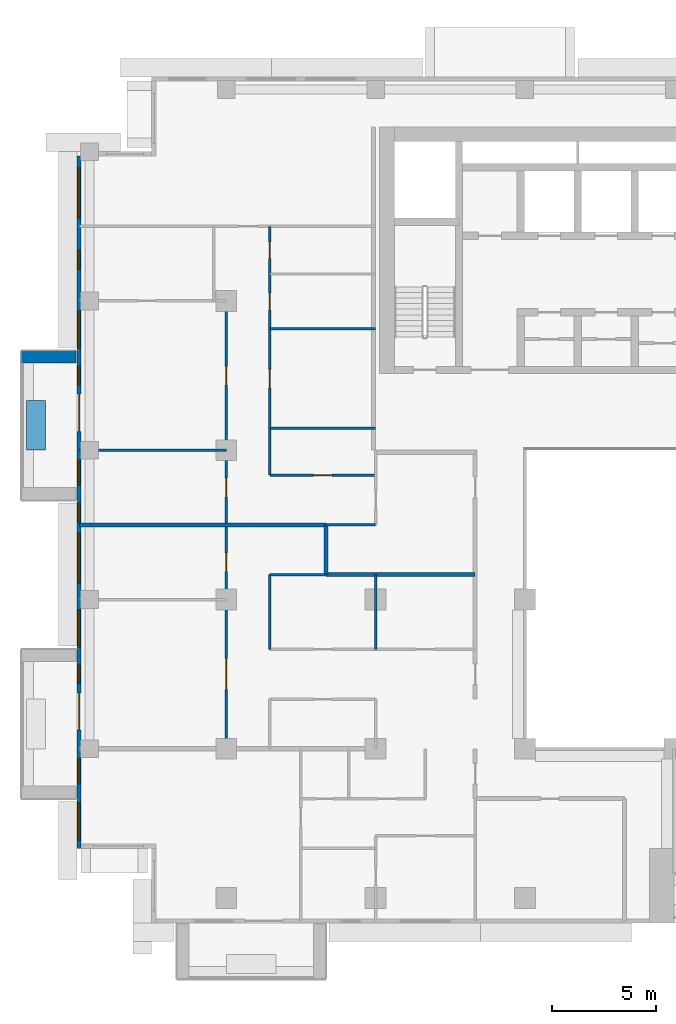
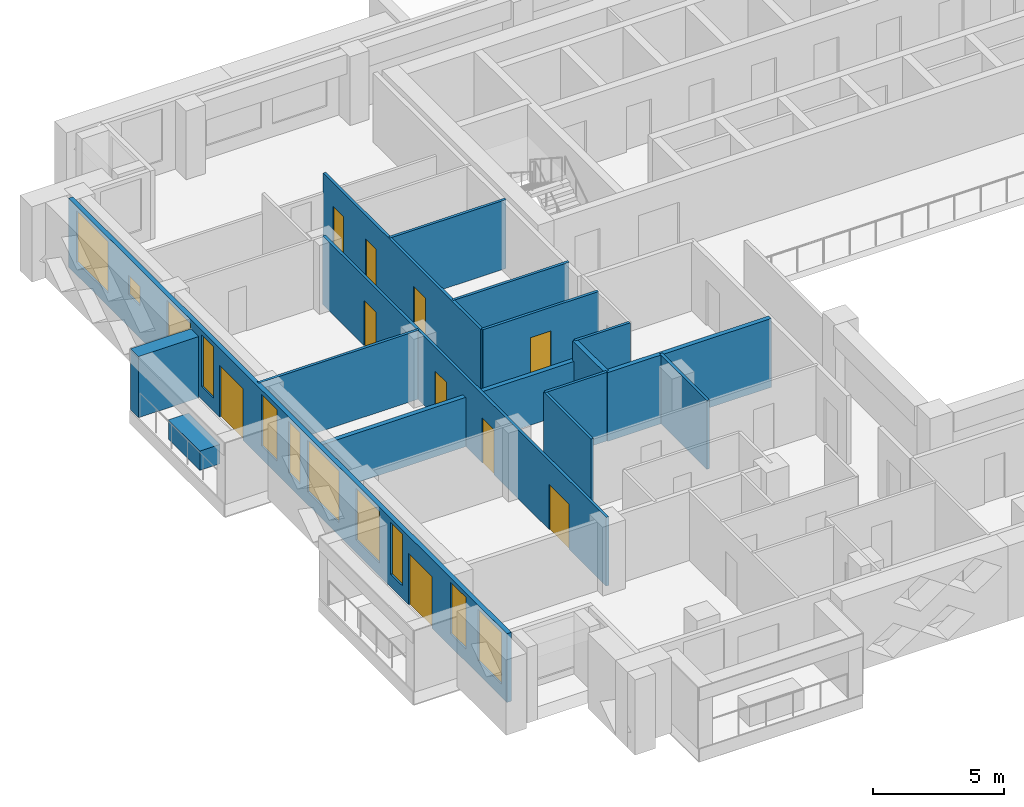
# One storey, part 7 of 20: 16 walls, 11 windows, 10 doors, 21 openings.
"""IFC4 building model written with IfcOpenShell, lengths in metres."""

import ifcopenshell
import ifcopenshell.guid

model = None  # the IFC model being written
_history = None  # IfcOwnerHistory: only IFC2X3 demands one
_inside = {}  # id of a spatial element -> (the spatial element, [elements in it])
_under = {}  # id of a project, library or spatial element -> (it, [spatial elements below it])
_declared = {}  # id of a project -> (the project, [libraries it declares])
_typed = {}  # id of a type object -> (the type object, [elements of that type])
_made_of = {}  # id of a material, layer set ... -> (it, [elements and type objects made of it])


def new_model(schema):
    """Start an empty IFC model of exactly this schema.

    Asked for "IFC4X3", IfcOpenShell would pick the latest addendum, in which some entities
    have other attributes; the version numbers below select the first issue.
    IFC2X3 requires an IfcOwnerHistory on every rooted entity: one is made here for all.
    """
    global model, _history
    if schema == "IFC4X3":
        model = ifcopenshell.file(schema_version=(4, 3, 0, 0))
    else:
        model = ifcopenshell.file(schema=schema)
    _inside.clear()
    _under.clear()
    _declared.clear()
    _typed.clear()
    _made_of.clear()
    _history = None
    if model.schema == "IFC2X3":
        org = make("IfcOrganization", Name="unknown")
        user = make(
            "IfcPersonAndOrganization",
            ThePerson=make("IfcPerson", FamilyName="unknown"),
            TheOrganization=org,
        )
        app = make(
            "IfcApplication",
            ApplicationDeveloper=org,
            Version="unknown",
            ApplicationFullName="unknown",
            ApplicationIdentifier="unknown",
        )
        _history = make(
            "IfcOwnerHistory",
            OwningUser=user,
            OwningApplication=app,
            ChangeAction="ADDED",
            CreationDate=0,
        )
    return model


def make(cls, **values):
    """One entity of the class cls with the attributes given. An attribute that is None is left unset."""
    return model.create_entity(
        cls, **{name: value for name, value in values.items() if value is not None}
    )


def rooted(cls, **values):
    """An entity with a GlobalId (a new one), such as an element, a storey or a relation."""
    return make(cls, GlobalId=ifcopenshell.guid.new(), OwnerHistory=_history, **values)


def si_unit(unit_type, name, prefix=None):
    """IfcSIUnit, for example si_unit("LENGTHUNIT", "METRE", prefix="MILLI")."""
    return make("IfcSIUnit", UnitType=unit_type, Prefix=prefix, Name=name)


def assignment(units):
    """IfcUnitAssignment: the units of a project."""
    return None if units is None else make("IfcUnitAssignment", Units=units)


def point(xyz):
    """IfcCartesianPoint."""
    return None if xyz is None else make("IfcCartesianPoint", Coordinates=xyz)


def direction(xyz):
    """IfcDirection."""
    return None if xyz is None else make("IfcDirection", DirectionRatios=xyz)


def frame(location, z_axis=None, x_axis=None):
    """IfcAxis2Placement3D, a coordinate frame: its origin and axes. An axis left out is left unset."""
    return make(
        "IfcAxis2Placement3D",
        Location=point(location),
        Axis=direction(z_axis),
        RefDirection=direction(x_axis),
    )


def frame_2d(location, x_axis=None):
    """IfcAxis2Placement2D, a coordinate frame in the plane: its origin and x axis."""
    return make(
        "IfcAxis2Placement2D", Location=point(location), RefDirection=direction(x_axis)
    )


def origin():
    """The frame at (0, 0, 0) with its axes left unset."""
    return frame((0.0, 0.0, 0.0))


def place(relative_to, where):
    """IfcLocalPlacement: puts the frame where relative to a parent placement (None: the world)."""
    return make(
        "IfcLocalPlacement", PlacementRelTo=relative_to, RelativePlacement=where
    )


def context(
    kind, dimensions, precision=None, world=None, true_north=None, identifier=None
):
    """IfcGeometricRepresentationContext, for example the 3D "Model" context."""
    return make(
        "IfcGeometricRepresentationContext",
        ContextIdentifier=identifier,
        ContextType=kind,
        CoordinateSpaceDimension=dimensions,
        Precision=precision,
        WorldCoordinateSystem=world,
        TrueNorth=true_north,
    )


def subcontext(parent, identifier, kind, view, scale=None):
    """IfcGeometricRepresentationSubContext, for example "Body" below "Model"."""
    return make(
        "IfcGeometricRepresentationSubContext",
        ContextIdentifier=identifier,
        ContextType=kind,
        ParentContext=parent,
        TargetScale=scale,
        TargetView=view,
    )


def project(units=None, contexts=None):
    """IfcProject with its units and contexts."""
    return rooted(
        "IfcProject",
        Name="project",
        RepresentationContexts=contexts,
        UnitsInContext=assignment(units),
    )


def spatial(cls, under=None, at=None, **own):
    """A site, building, storey or space (cls), placed at a placement, below another one or the project."""
    s = rooted(cls, ObjectPlacement=at, **own)
    if under is not None:
        _under.setdefault(under.id(), (under, []))[1].append(s)
    return s


def profile(cls, at=None, kind="AREA", **sizes):
    """A parametric profile (cls). Its sizes go by their IFC names, for example OverallWidth=200.0."""
    return make(cls, ProfileType=kind, Position=at, **sizes)


def rectangle(**sizes):
    """IfcRectangleProfileDef."""
    return profile("IfcRectangleProfileDef", **sizes)


def extrude(swept, where, along, depth):
    """IfcExtrudedAreaSolid: the profile swept, set in the frame where, extruded along a direction by depth."""
    return make(
        "IfcExtrudedAreaSolid",
        SweptArea=swept,
        Position=where,
        ExtrudedDirection=direction(along),
        Depth=depth,
    )


def shape(context_of_items, identifier, shape_type, items):
    """IfcShapeRepresentation: the items that make up one representation, for example the "Body"."""
    return make(
        "IfcShapeRepresentation",
        ContextOfItems=context_of_items,
        RepresentationIdentifier=identifier,
        RepresentationType=shape_type,
        Items=items,
    )


def material(Name=None, Category=None):
    """IfcMaterial."""
    return make("IfcMaterial", Name=Name, Category=Category)


def layer(
    of_material, thickness, ventilated=None, Name=None, Category=None, Priority=None
):
    """IfcMaterialLayer: one layer of a wall or slab, of a material (None: an air gap)."""
    return make(
        "IfcMaterialLayer",
        Material=of_material,
        LayerThickness=thickness,
        IsVentilated=ventilated,
        Name=Name,
        Category=Category,
        Priority=Priority,
    )


def layer_set(layers, Name=None):
    """IfcMaterialLayerSet."""
    return make("IfcMaterialLayerSet", MaterialLayers=layers, LayerSetName=Name)


def made_of(thing, what):
    """Note that an element or type object is made of a material, layer set ...; save() writes the relation."""
    if what is not None:
        _made_of.setdefault(what.id(), (what, []))[1].append(thing)
    return thing


def type_object(cls, material=None, **own):
    """A type object (cls), such as IfcWallType, which elements share."""
    return made_of(rooted(cls, **own), material)


def element(
    cls,
    number,
    at=None,
    inside=None,
    cuts=None,
    type_object=None,
    material=None,
    context=None,
    identifier="Body",
    shape_type=None,
    held_by="IfcProductDefinitionShape",
    body=None,
    shapes=None,
    **own,
):
    """One element of the class cls, such as IfcWall. Its Tag is "e" and its number.

    at: its placement. inside: the storey or other place that contains it. cuts: it is an
    opening in that element (IfcRelVoidsElement). A single representation is given by context,
    identifier, shape_type and body (its items); several are given by shapes. held_by: the class
    of the entity that holds the representations. save() writes the other relations.
    """
    e = rooted(cls, Tag="e%d" % number, ObjectPlacement=at, **own)
    if body is not None:
        shapes = [shape(context, identifier, shape_type, body)]
    if shapes is not None:
        e.Representation = make(held_by, Representations=shapes)
    if inside is not None:
        _inside.setdefault(inside.id(), (inside, []))[1].append(e)
    if cuts is not None:
        rooted(
            "IfcRelVoidsElement", RelatingBuildingElement=cuts, RelatedOpeningElement=e
        )
    if type_object is not None:
        _typed.setdefault(type_object.id(), (type_object, []))[1].append(e)
    return made_of(e, material)


def fill(opening, filler):
    """IfcRelFillsElement: the door or window that sits in an opening."""
    return rooted(
        "IfcRelFillsElement",
        RelatingOpeningElement=opening,
        RelatedBuildingElement=filler,
    )


def aggregate(whole, parts):
    """IfcRelAggregates: a whole, such as a stair, and the parts it consists of."""
    return rooted("IfcRelAggregates", RelatingObject=whole, RelatedObjects=parts)


def save(model, path):
    """Write the relations noted so far, then the file.

    IfcRelAggregates (storeys below a building ...), IfcRelContainedInSpatialStructure (elements
    in a storey), IfcRelDefinesByType, IfcRelAssociatesMaterial and IfcRelDeclares: one each for
    every whole, place, type object, material and project.
    """
    for whole, parts in _under.values():
        aggregate(whole, parts)
    for where, things in _inside.values():
        rooted(
            "IfcRelContainedInSpatialStructure",
            RelatedElements=things,
            RelatingStructure=where,
        )
    for kind, things in _typed.values():
        rooted("IfcRelDefinesByType", RelatedObjects=things, RelatingType=kind)
    for what, things in _made_of.values():
        rooted("IfcRelAssociatesMaterial", RelatedObjects=things, RelatingMaterial=what)
    for by, libraries in _declared.values():
        rooted("IfcRelDeclares", RelatingContext=by, RelatedDefinitions=libraries)
    model.write(path)


model = new_model("IFC4")

# Units and contexts
model_context = context("Model", 3, precision=1e-05, world=origin(), true_north=direction((0.0, 1.0)))
body_context = subcontext(model_context, "Body", "Model", "MODEL_VIEW")
ifc_project = project(units=[si_unit("LENGTHUNIT", "METRE"), si_unit("AREAUNIT", "SQUARE_METRE"), si_unit("VOLUMEUNIT", "CUBIC_METRE"), si_unit("PLANEANGLEUNIT", "RADIAN"), si_unit("MASSUNIT", "GRAM", prefix="KILO")], contexts=[model_context])

# Site, building, storey
site_placement = place(None, origin())
site = spatial("IfcSite", under=ifc_project, at=site_placement, CompositionType="ELEMENT")
building_placement = place(site_placement, origin())
building = spatial("IfcBuilding", under=site, at=building_placement, Name="Saffron Iwan Residences", CompositionType="ELEMENT")
storey_placement = place(building_placement, frame((0.0, 0.0, 157.0)))
storey = spatial("IfcBuildingStorey", under=building, at=storey_placement, Name="L41", CompositionType="ELEMENT", Elevation=157.0)

# Walls
ifc_material_1 = material(Name="Concrete C50/60 white painted", Category="concrete")
ifc_layer_1 = layer(ifc_material_1, 0.60009765625)
ifc_layer_set_1 = layer_set([ifc_layer_1], Name="Concrete C50/60 white painted")
wall_type_1 = type_object("IfcWallType", Name="BALCONY FIN 600", PredefinedType="SOLIDWALL", material=ifc_layer_set_1)
wall_1_placement = place(storey_placement, frame((14.35009765625, 66.89990234375, 0.0), z_axis=(0.0, 0.0, 1.0), x_axis=(-1.0, 0.0, 0.0)))
element("IfcWall", 1, at=wall_1_placement, inside=storey, type_object=wall_type_1, Name="Balcony fin L41 F8-0a", PredefinedType="SOLIDWALL", context=body_context, shape_type="SweptSolid", body=[
    extrude(rectangle(XDim=2.650146484375, YDim=0.60009765625, at=frame_2d((1.3251953125, 0.0))), origin(), (0.0, 0.0, 1.0), 2.85009765625),
])
ifc_material_2 = material(Name="Concrete C35/45 white painted", Category="concrete")
ifc_layer_2 = layer(ifc_material_2, 0.14990234375)
ifc_layer_set_2 = layer_set([ifc_layer_2], Name="Concrete C35/45 white painted")
wall_type_2 = type_object("IfcWallType", Name="BALCONY PLANTER", PredefinedType="SOLIDWALL", material=ifc_layer_set_2)
wall_2_placement = place(storey_placement, frame((12.425048828125, 64.800048828125, 0.0), z_axis=(0.0, 0.0, 1.0), x_axis=(0.0, -1.0, 0.0)))
element("IfcWall", 2, at=wall_2_placement, inside=storey, type_object=wall_type_2, Name="PLANTER L41 F8-0", PredefinedType="SOLIDWALL", context=body_context, shape_type="SweptSolid", body=[
    extrude(rectangle(XDim=2.400146484375, YDim=0.89990234375, at=frame_2d((1.2001953125, 0.0))), origin(), (0.0, 0.0, 1.0), 0.89990234375),
])

# Wall, openings, doors, windows
ifc_material_3 = material(Name="Concrete C40/50", Category="concrete")
ifc_layer_3 = layer(ifc_material_3, 0.199951171875)
ifc_layer_set_3 = layer_set([ifc_layer_3], Name="Concrete C40/50")
wall_type_3 = type_object("IfcWallType", Name="EXTERNAL WALL 200", PredefinedType="SOLIDWALL", material=ifc_layer_set_3)
wall_3_placement = place(storey_placement, frame((14.5, 76.60009765625, 0.0), z_axis=(0.0, 0.0, 1.0), x_axis=(0.0, -1.0, 0.0)))
wall_3 = element("IfcWall", 3, at=wall_3_placement, inside=storey, type_object=wall_type_3, Name="External wall L41 F8.0", PredefinedType="SOLIDWALL", context=body_context, shape_type="SweptSolid", body=[
    extrude(rectangle(XDim=33.400146484375, YDim=0.199951171875, at=frame_2d((16.7001953125, 0.0))), origin(), (0.0, 0.0, 1.0), 3.199951171875),
])
opening_1_placement = place(wall_3_placement, frame((11.5, 0.0, 0.0)))
opening_1 = element("IfcOpeningElement", 4, at=opening_1_placement, cuts=wall_3, Name="Opening BD1", PredefinedType="OPENING", context=body_context, shape_type="SweptSolid", body=[
    extrude(rectangle(XDim=1.800048828125, YDim=2.39990234375, at=frame_2d((0.89990234375, 1.199951171875))), frame((0.0, 0.10986328125, 0.0), z_axis=(0.0, -1.0, 0.0), x_axis=(1.0, 0.0, 0.0)), (0.0, 0.0, 1.0), 0.219970703125),
])
opening_2_placement = place(wall_3_placement, frame((25.89990234375, 0.0, 0.0)))
opening_2 = element("IfcOpeningElement", 5, at=opening_2_placement, cuts=wall_3, Name="Opening BD1", PredefinedType="OPENING", context=body_context, shape_type="SweptSolid", body=[
    extrude(rectangle(XDim=1.800048828125, YDim=2.39990234375, at=frame_2d((0.89990234375, 1.199951171875))), frame((0.0, 0.10986328125, 0.0), z_axis=(0.0, -1.0, 0.0), x_axis=(1.0, 0.0, 0.0)), (0.0, 0.0, 1.0), 0.219970703125),
])
opening_3_placement = place(wall_3_placement, frame((29.08740234375, 0.0, 0.60009765625)))
opening_3 = element("IfcOpeningElement", 6, at=opening_3_placement, cuts=wall_3, Name="Opening W3", PredefinedType="OPENING", context=body_context, shape_type="SweptSolid", body=[
    extrude(rectangle(XDim=1.199951171875, YDim=2.39990234375, at=frame_2d((0.60009765625, 1.199951171875))), frame((0.0, 0.10986328125, 0.0), z_axis=(0.0, -1.0, 0.0), x_axis=(1.0, 0.0, 0.0)), (0.0, 0.0, 1.0), 0.219970703125),
])
opening_4_placement = place(wall_3_placement, frame((31.199951171875, 0.0, 0.60009765625)))
opening_4 = element("IfcOpeningElement", 7, at=opening_4_placement, cuts=wall_3, Name="Opening W8", PredefinedType="OPENING", context=body_context, shape_type="SweptSolid", body=[
    extrude(rectangle(XDim=1.800048828125, YDim=2.39990234375, at=frame_2d((0.89990234375, 1.199951171875))), frame((0.0, 0.10986328125, 0.0), z_axis=(0.0, -1.0, 0.0), x_axis=(1.0, 0.0, 0.0)), (0.0, 0.0, 1.0), 0.219970703125),
])
opening_5_placement = place(wall_3_placement, frame((21.887451171875, 0.0, 0.60009765625)))
opening_5 = element("IfcOpeningElement", 8, at=opening_5_placement, cuts=wall_3, Name="Opening W8", PredefinedType="OPENING", context=body_context, shape_type="SweptSolid", body=[
    extrude(rectangle(XDim=1.800048828125, YDim=2.39990234375, at=frame_2d((0.89990234375, 1.199951171875))), frame((0.0, 0.10986328125, 0.0), z_axis=(0.0, -1.0, 0.0), x_axis=(1.0, 0.0, 0.0)), (0.0, 0.0, 1.0), 0.219970703125),
])
opening_6_placement = place(wall_3_placement, frame((24.550048828125, 0.0, 0.60009765625)))
opening_6 = element("IfcOpeningElement", 9, at=opening_6_placement, cuts=wall_3, Name="Opening W10", PredefinedType="OPENING", context=body_context, shape_type="SweptSolid", body=[
    extrude(rectangle(XDim=0.89990234375, YDim=2.39990234375, at=frame_2d((0.449951171875, 1.199951171875))), frame((0.0, 0.10986328125, 0.0), z_axis=(0.0, -1.0, 0.0), x_axis=(1.0, 0.0, 0.0)), (0.0, 0.0, 1.0), 0.219970703125),
])
opening_7_placement = place(wall_3_placement, frame((18.21240234375, 0.0, 0.60009765625)))
opening_7 = element("IfcOpeningElement", 10, at=opening_7_placement, cuts=wall_3, Name="Opening W1", PredefinedType="OPENING", context=body_context, shape_type="SweptSolid", body=[
    extrude(rectangle(XDim=2.39990234375, YDim=2.39990234375, at=frame_2d((1.199951171875, 1.199951171875))), frame((0.0, 0.10986328125, 0.0), z_axis=(0.0, -1.0, 0.0), x_axis=(1.0, 0.0, 0.0)), (0.0, 0.0, 1.0), 0.219970703125),
])
opening_8_placement = place(wall_3_placement, frame((14.6875, 0.0, 0.60009765625)))
opening_8 = element("IfcOpeningElement", 11, at=opening_8_placement, cuts=wall_3, Name="Opening W3", PredefinedType="OPENING", context=body_context, shape_type="SweptSolid", body=[
    extrude(rectangle(XDim=1.199951171875, YDim=2.39990234375, at=frame_2d((0.60009765625, 1.199951171875))), frame((0.0, 0.10986328125, 0.0), z_axis=(0.0, -1.0, 0.0), x_axis=(1.0, 0.0, 0.0)), (0.0, 0.0, 1.0), 0.219970703125),
])
opening_9_placement = place(wall_3_placement, frame((16.75, 0.0, 0.60009765625)))
opening_9 = element("IfcOpeningElement", 12, at=opening_9_placement, cuts=wall_3, Name="Opening W10", PredefinedType="OPENING", context=body_context, shape_type="SweptSolid", body=[
    extrude(rectangle(XDim=0.89990234375, YDim=2.39990234375, at=frame_2d((0.449951171875, 1.199951171875))), frame((0.0, 0.10986328125, 0.0), z_axis=(0.0, -1.0, 0.0), x_axis=(1.0, 0.0, 0.0)), (0.0, 0.0, 1.0), 0.219970703125),
])
opening_10_placement = place(wall_3_placement, frame((7.487548828125, 0.0, 0.60009765625)))
opening_10 = element("IfcOpeningElement", 13, at=opening_10_placement, cuts=wall_3, Name="Opening W8", PredefinedType="OPENING", context=body_context, shape_type="SweptSolid", body=[
    extrude(rectangle(XDim=1.800048828125, YDim=2.39990234375, at=frame_2d((0.89990234375, 1.199951171875))), frame((0.0, 0.10986328125, 0.0), z_axis=(0.0, -1.0, 0.0), x_axis=(1.0, 0.0, 0.0)), (0.0, 0.0, 1.0), 0.219970703125),
])
opening_11_placement = place(wall_3_placement, frame((10.14990234375, 0.0, 0.60009765625)))
opening_11 = element("IfcOpeningElement", 14, at=opening_11_placement, cuts=wall_3, Name="Opening W10", PredefinedType="OPENING", context=body_context, shape_type="SweptSolid", body=[
    extrude(rectangle(XDim=0.89990234375, YDim=2.39990234375, at=frame_2d((0.449951171875, 1.199951171875))), frame((0.0, 0.10986328125, 0.0), z_axis=(0.0, -1.0, 0.0), x_axis=(1.0, 0.0, 0.0)), (0.0, 0.0, 1.0), 0.219970703125),
])
opening_12_placement = place(wall_3_placement, frame((4.5625, 0.0, 1.5)))
opening_12 = element("IfcOpeningElement", 15, at=opening_12_placement, cuts=wall_3, Name="Opening W6", PredefinedType="OPENING", context=body_context, shape_type="SweptSolid", body=[
    extrude(rectangle(XDim=0.89990234375, YDim=0.89990234375, at=frame_2d((0.449951171875, 0.449951171875))), frame((0.0, 0.10986328125, 0.0), z_axis=(0.0, -1.0, 0.0), x_axis=(1.0, 0.0, 0.0)), (0.0, 0.0, 1.0), 0.219970703125),
])
opening_13_placement = place(wall_3_placement, frame((0.60009765625, 0.0, 0.60009765625)))
opening_13 = element("IfcOpeningElement", 16, at=opening_13_placement, cuts=wall_3, Name="Opening W1", PredefinedType="OPENING", context=body_context, shape_type="SweptSolid", body=[
    extrude(rectangle(XDim=2.39990234375, YDim=2.39990234375, at=frame_2d((1.199951171875, 1.199951171875))), frame((0.0, 0.10986328125, 0.0), z_axis=(0.0, -1.0, 0.0), x_axis=(1.0, 0.0, 0.0)), (0.0, 0.0, 1.0), 0.219970703125),
])
ifc_material_4 = material(Name="Clear glass, laminated double glazed", Category="glass")
door_type_1 = type_object("IfcDoorType", Name="BALCONY DOOR 1800 x 2400", OperationType="DOUBLE_DOOR_SLIDING", PredefinedType="DOOR", material=ifc_material_4)
door_1_placement = place(opening_1_placement, origin())
door_1 = element("IfcDoor", 17, at=door_1_placement, inside=storey, type_object=door_type_1, Name="Balcony door L41 F8.0", OperationType="DOUBLE_DOOR_SLIDING", OverallHeight=2.39990234375, OverallWidth=1.800048828125, PredefinedType="DOOR", context=body_context, shape_type="SweptSolid", body=[
    extrude(rectangle(XDim=1.800048828125, YDim=2.39990234375, at=frame_2d((0.89990234375, 1.199951171875))), frame((0.0, 0.02490234375, 0.0), z_axis=(0.0, -1.0, 0.0), x_axis=(1.0, 0.0, 0.0)), (0.0, 0.0, 1.0), 0.050048828125),
])
fill(opening_1, door_1)
door_2_placement = place(opening_2_placement, origin())
door_2 = element("IfcDoor", 18, at=door_2_placement, inside=storey, type_object=door_type_1, Name="Balcony door L41 F8.1", OperationType="DOUBLE_DOOR_SLIDING", OverallHeight=2.39990234375, OverallWidth=1.800048828125, PredefinedType="DOOR", context=body_context, shape_type="SweptSolid", body=[
    extrude(rectangle(XDim=1.800048828125, YDim=2.39990234375, at=frame_2d((0.89990234375, 1.199951171875))), frame((0.0, 0.02490234375, 0.0), z_axis=(0.0, -1.0, 0.0), x_axis=(1.0, 0.0, 0.0)), (0.0, 0.0, 1.0), 0.050048828125),
])
fill(opening_2, door_2)
window_type_1 = type_object("IfcWindowType", Name="WINDOW 1200 x 2400", PartitioningType="SINGLE_PANEL", PredefinedType="WINDOW", material=ifc_material_4)
window_1_placement = place(opening_3_placement, origin())
window_1 = element("IfcWindow", 19, at=window_1_placement, inside=storey, type_object=window_type_1, Name="Window L41 F8.2", OverallHeight=2.39990234375, OverallWidth=1.199951171875, PartitioningType="SINGLE_PANEL", PredefinedType="WINDOW", context=body_context, shape_type="SweptSolid", body=[
    extrude(rectangle(XDim=1.199951171875, YDim=2.39990234375, at=frame_2d((0.60009765625, 1.199951171875))), frame((0.0, 0.030029296875, 0.0), z_axis=(0.0, -1.0, 0.0), x_axis=(1.0, 0.0, 0.0)), (0.0, 0.0, 1.0), 0.06005859375),
])
fill(opening_3, window_1)
window_2_placement = place(opening_8_placement, origin())
window_2 = element("IfcWindow", 20, at=window_2_placement, inside=storey, type_object=window_type_1, Name="Window L41 F8.7", OverallHeight=2.39990234375, OverallWidth=1.199951171875, PartitioningType="SINGLE_PANEL", PredefinedType="WINDOW", context=body_context, shape_type="SweptSolid", body=[
    extrude(rectangle(XDim=1.199951171875, YDim=2.39990234375, at=frame_2d((0.60009765625, 1.199951171875))), frame((0.0, 0.030029296875, 0.0), z_axis=(0.0, -1.0, 0.0), x_axis=(1.0, 0.0, 0.0)), (0.0, 0.0, 1.0), 0.06005859375),
])
fill(opening_8, window_2)
window_type_2 = type_object("IfcWindowType", Name="WINDOW 1800 x 2400", PartitioningType="DOUBLE_PANEL_VERTICAL", PredefinedType="WINDOW", material=ifc_material_4)
window_3_placement = place(opening_4_placement, origin())
window_3 = element("IfcWindow", 21, at=window_3_placement, inside=storey, type_object=window_type_2, Name="Window L41 F8.3", OverallHeight=2.39990234375, OverallWidth=1.800048828125, PartitioningType="DOUBLE_PANEL_VERTICAL", PredefinedType="WINDOW", context=body_context, shape_type="SweptSolid", body=[
    extrude(rectangle(XDim=1.800048828125, YDim=2.39990234375, at=frame_2d((0.89990234375, 1.199951171875))), frame((0.0, 0.030029296875, 0.0), z_axis=(0.0, -1.0, 0.0), x_axis=(1.0, 0.0, 0.0)), (0.0, 0.0, 1.0), 0.06005859375),
])
fill(opening_4, window_3)
window_4_placement = place(opening_5_placement, origin())
window_4 = element("IfcWindow", 22, at=window_4_placement, inside=storey, type_object=window_type_2, Name="Window L41 F8.4", OverallHeight=2.39990234375, OverallWidth=1.800048828125, PartitioningType="DOUBLE_PANEL_VERTICAL", PredefinedType="WINDOW", context=body_context, shape_type="SweptSolid", body=[
    extrude(rectangle(XDim=1.800048828125, YDim=2.39990234375, at=frame_2d((0.89990234375, 1.199951171875))), frame((0.0, 0.030029296875, 0.0), z_axis=(0.0, -1.0, 0.0), x_axis=(1.0, 0.0, 0.0)), (0.0, 0.0, 1.0), 0.06005859375),
])
fill(opening_5, window_4)
window_5_placement = place(opening_10_placement, origin())
window_5 = element("IfcWindow", 23, at=window_5_placement, inside=storey, type_object=window_type_2, Name="Window L41 F8.9", OverallHeight=2.39990234375, OverallWidth=1.800048828125, PartitioningType="DOUBLE_PANEL_VERTICAL", PredefinedType="WINDOW", context=body_context, shape_type="SweptSolid", body=[
    extrude(rectangle(XDim=1.800048828125, YDim=2.39990234375, at=frame_2d((0.89990234375, 1.199951171875))), frame((0.0, 0.030029296875, 0.0), z_axis=(0.0, -1.0, 0.0), x_axis=(1.0, 0.0, 0.0)), (0.0, 0.0, 1.0), 0.06005859375),
])
fill(opening_10, window_5)
window_type_3 = type_object("IfcWindowType", Name="WINDOW 2400 x 2400", PartitioningType="DOUBLE_PANEL_VERTICAL", PredefinedType="WINDOW", material=ifc_material_4)
window_6_placement = place(opening_7_placement, origin())
window_6 = element("IfcWindow", 24, at=window_6_placement, inside=storey, type_object=window_type_3, Name="Window L41 F8.6", OverallHeight=2.39990234375, OverallWidth=2.39990234375, PartitioningType="DOUBLE_PANEL_VERTICAL", PredefinedType="WINDOW", context=body_context, shape_type="SweptSolid", body=[
    extrude(rectangle(XDim=2.39990234375, YDim=2.39990234375, at=frame_2d((1.199951171875, 1.199951171875))), frame((0.0, 0.030029296875, 0.0), z_axis=(0.0, -1.0, 0.0), x_axis=(1.0, 0.0, 0.0)), (0.0, 0.0, 1.0), 0.06005859375),
])
fill(opening_7, window_6)
window_7_placement = place(opening_13_placement, origin())
window_7 = element("IfcWindow", 25, at=window_7_placement, inside=storey, type_object=window_type_3, Name="Window L41 F8.12", OverallHeight=2.39990234375, OverallWidth=2.39990234375, PartitioningType="DOUBLE_PANEL_VERTICAL", PredefinedType="WINDOW", context=body_context, shape_type="SweptSolid", body=[
    extrude(rectangle(XDim=2.39990234375, YDim=2.39990234375, at=frame_2d((1.199951171875, 1.199951171875))), frame((0.0, 0.030029296875, 0.0), z_axis=(0.0, -1.0, 0.0), x_axis=(1.0, 0.0, 0.0)), (0.0, 0.0, 1.0), 0.06005859375),
])
fill(opening_13, window_7)
window_type_4 = type_object("IfcWindowType", Name="WINDOW 900 x 2400", PartitioningType="SINGLE_PANEL", PredefinedType="WINDOW", material=ifc_material_4)
window_8_placement = place(opening_6_placement, origin())
window_8 = element("IfcWindow", 26, at=window_8_placement, inside=storey, type_object=window_type_4, Name="Window L41 F8.5", OverallHeight=2.39990234375, OverallWidth=0.89990234375, PartitioningType="SINGLE_PANEL", PredefinedType="WINDOW", context=body_context, shape_type="SweptSolid", body=[
    extrude(rectangle(XDim=0.89990234375, YDim=2.39990234375, at=frame_2d((0.449951171875, 1.199951171875))), frame((0.0, 0.030029296875, 0.0), z_axis=(0.0, -1.0, 0.0), x_axis=(1.0, 0.0, 0.0)), (0.0, 0.0, 1.0), 0.06005859375),
])
fill(opening_6, window_8)
window_9_placement = place(opening_9_placement, origin())
window_9 = element("IfcWindow", 27, at=window_9_placement, inside=storey, type_object=window_type_4, Name="Window L41 F8.8", OverallHeight=2.39990234375, OverallWidth=0.89990234375, PartitioningType="SINGLE_PANEL", PredefinedType="WINDOW", context=body_context, shape_type="SweptSolid", body=[
    extrude(rectangle(XDim=0.89990234375, YDim=2.39990234375, at=frame_2d((0.449951171875, 1.199951171875))), frame((0.0, 0.030029296875, 0.0), z_axis=(0.0, -1.0, 0.0), x_axis=(1.0, 0.0, 0.0)), (0.0, 0.0, 1.0), 0.06005859375),
])
fill(opening_9, window_9)
window_10_placement = place(opening_11_placement, origin())
window_10 = element("IfcWindow", 28, at=window_10_placement, inside=storey, type_object=window_type_4, Name="Window L41 F8.10", OverallHeight=2.39990234375, OverallWidth=0.89990234375, PartitioningType="SINGLE_PANEL", PredefinedType="WINDOW", context=body_context, shape_type="SweptSolid", body=[
    extrude(rectangle(XDim=0.89990234375, YDim=2.39990234375, at=frame_2d((0.449951171875, 1.199951171875))), frame((0.0, 0.030029296875, 0.0), z_axis=(0.0, -1.0, 0.0), x_axis=(1.0, 0.0, 0.0)), (0.0, 0.0, 1.0), 0.06005859375),
])
fill(opening_11, window_10)
window_type_5 = type_object("IfcWindowType", Name="WINDOW 900 x 900 BATH", PartitioningType="SINGLE_PANEL", PredefinedType="WINDOW", material=ifc_material_4)
window_11_placement = place(opening_12_placement, origin())
window_11 = element("IfcWindow", 29, at=window_11_placement, inside=storey, type_object=window_type_5, Name="Window L41 F8.11", OverallHeight=0.89990234375, OverallWidth=0.89990234375, PartitioningType="SINGLE_PANEL", PredefinedType="WINDOW", context=body_context, shape_type="SweptSolid", body=[
    extrude(rectangle(XDim=0.89990234375, YDim=0.89990234375, at=frame_2d((0.449951171875, 0.449951171875))), frame((0.0, 0.030029296875, 0.0), z_axis=(0.0, -1.0, 0.0), x_axis=(1.0, 0.0, 0.0)), (0.0, 0.0, 1.0), 0.06005859375),
])
fill(opening_12, window_11)

# Walls
ifc_material_5 = material(Name="Fire-rated gypsum board wall")
ifc_layer_4 = layer(ifc_material_5, 0.199951171875)
ifc_layer_set_4 = layer_set([ifc_layer_4], Name="Fire-rated gypsum board wall")
wall_type_4 = type_object("IfcWallType", Name="Flat demising wall 200", PredefinedType="SOLIDWALL", material=ifc_layer_set_4)
wall_4_placement = place(storey_placement, frame((26.39990234375, 56.39990234375, 0.0), z_axis=(0.0, 0.0, 1.0), x_axis=(1.0, 0.0, 0.0)))
element("IfcWall", 30, at=wall_4_placement, inside=storey, type_object=wall_type_4, Name="W-L41-DEMISE-h56.4-26.4", PredefinedType="SOLIDWALL", context=body_context, shape_type="SweptSolid", body=[
    extrude(rectangle(XDim=7.2001953125, YDim=0.199951171875, at=frame_2d((3.60009765625, 0.0))), origin(), (0.0, 0.0, 1.0), 3.199951171875),
])
wall_5_placement = place(storey_placement, frame((14.52490234375, 58.800048828125, 0.0), z_axis=(0.0, 0.0, 1.0), x_axis=(1.0, 0.0, 0.0)))
element("IfcWall", 31, at=wall_5_placement, inside=storey, type_object=wall_type_4, Name="W-L41-DEMISE-h58.8-14.525", PredefinedType="SOLIDWALL", context=body_context, shape_type="SweptSolid", body=[
    extrude(rectangle(XDim=11.875, YDim=0.199951171875, at=frame_2d((5.9375, 0.0))), origin(), (0.0, 0.0, 1.0), 2.300048828125),
])
wall_6_placement = place(storey_placement, frame((26.39990234375, 56.39990234375, 0.0), z_axis=(0.0, 0.0, 1.0), x_axis=(0.0, 1.0, 0.0)))
element("IfcWall", 32, at=wall_6_placement, inside=storey, type_object=wall_type_4, Name="W-L41-DEMISE-v26.4-56.4", PredefinedType="SOLIDWALL", context=body_context, shape_type="SweptSolid", body=[
    extrude(rectangle(XDim=2.400146484375, YDim=0.199951171875, at=frame_2d((1.2001953125, 0.0))), origin(), (0.0, 0.0, 1.0), 3.199951171875),
])
ifc_material_6 = material(Name="Gypsum board partition")
ifc_layer_5 = layer(ifc_material_6, 0.1201171875)
ifc_layer_set_5 = layer_set([ifc_layer_5], Name="Gypsum board partition")
wall_type_5 = type_object("IfcWallType", Name="Flat partition 120", PredefinedType="PARTITIONING", material=ifc_layer_set_5)
wall_7_placement = place(storey_placement, frame((23.699951171875, 56.39990234375, 0.0), z_axis=(0.0, 0.0, 1.0), x_axis=(1.0, 0.0, 0.0)))
element("IfcWall", 33, at=wall_7_placement, inside=storey, type_object=wall_type_5, Name="W-L41-PART-h56.4-23.7", PredefinedType="PARTITIONING", context=body_context, shape_type="SweptSolid", body=[
    extrude(rectangle(XDim=2.699951171875, YDim=0.1201171875, at=frame_2d((1.35009765625, 0.0))), origin(), (0.0, 0.0, 1.0), 3.199951171875),
])
wall_8_placement = place(storey_placement, frame((26.39990234375, 58.800048828125, 0.0), z_axis=(0.0, 0.0, 1.0), x_axis=(1.0, 0.0, 0.0)))
element("IfcWall", 34, at=wall_8_placement, inside=storey, type_object=wall_type_5, Name="W-L41-PART-h58.8-26.4", PredefinedType="PARTITIONING", context=body_context, shape_type="SweptSolid", body=[
    extrude(rectangle(XDim=2.400146484375, YDim=0.1201171875, at=frame_2d((1.2001953125, 0.0))), origin(), (0.0, 0.0, 1.0), 3.199951171875),
])

# Wall, opening, door
wall_9_placement = place(storey_placement, frame((23.699951171875, 61.199951171875, 0.0), z_axis=(0.0, 0.0, 1.0), x_axis=(1.0, 0.0, 0.0)))
wall_9 = element("IfcWall", 35, at=wall_9_placement, inside=storey, type_object=wall_type_5, Name="W-L41-PART-h61.2-23.7", PredefinedType="PARTITIONING", context=body_context, shape_type="SweptSolid", body=[
    extrude(rectangle(XDim=5.10009765625, YDim=0.1201171875, at=frame_2d((2.550048828125, 0.0))), origin(), (0.0, 0.0, 1.0), 3.199951171875),
])
opening_14_placement = place(wall_9_placement, frame((2.10009765625, 0.0, 0.0)))
opening_14 = element("IfcOpeningElement", 36, at=opening_14_placement, cuts=wall_9, Name="Opening FD2", PredefinedType="OPENING", context=body_context, shape_type="SweptSolid", body=[
    extrude(rectangle(XDim=0.89990234375, YDim=2.10009765625, at=frame_2d((0.449951171875, 1.050048828125))), frame((0.0, 0.070068359375, 0.0), z_axis=(0.0, -1.0, 0.0), x_axis=(1.0, 0.0, 0.0)), (0.0, 0.0, 1.0), 0.14013671875),
])
ifc_material_7 = material(Name="Timber door", Category="wood")
door_type_2 = type_object("IfcDoorType", Name="Flat door 900", OperationType="NOTDEFINED", PredefinedType="DOOR", material=ifc_material_7)
door_3_placement = place(opening_14_placement, origin())
door_3 = element("IfcDoor", 37, at=door_3_placement, inside=storey, type_object=door_type_2, Name="Door L41-027", OperationType="SINGLE_SWING_LEFT", OverallHeight=2.10009765625, OverallWidth=0.89990234375, PredefinedType="DOOR", context=body_context, shape_type="SweptSolid", body=[
    extrude(rectangle(XDim=0.89990234375, YDim=2.10009765625, at=frame_2d((0.449951171875, 1.050048828125))), frame((0.0, 0.02490234375, 0.0), z_axis=(0.0, -1.0, 0.0), x_axis=(1.0, 0.0, 0.0)), (0.0, 0.0, 1.0), 0.050048828125),
])
fill(opening_14, door_3)

# Walls
wall_10_placement = place(storey_placement, frame((14.52490234375, 62.39990234375, 0.0), z_axis=(0.0, 0.0, 1.0), x_axis=(1.0, 0.0, 0.0)))
element("IfcWall", 38, at=wall_10_placement, inside=storey, type_object=wall_type_5, Name="W-L41-PART-h62.4-14.525", PredefinedType="PARTITIONING", context=body_context, shape_type="SweptSolid", body=[
    extrude(rectangle(XDim=7.0751953125, YDim=0.1201171875, at=frame_2d((3.53759765625, 0.0))), origin(), (0.0, 0.0, 1.0), 3.199951171875),
])
for number, where, z_axis, x_axis, name in (
    (39, (23.699951171875, 63.449951171875, 0.0), (0.0, 0.0, 1.0), (1.0, 0.0, 0.0), "W-L41-PART-h63.45-23.7"),
    (40, (23.699951171875, 68.25, 0.0), (0.0, 0.0, 1.0), (1.0, 0.0, 0.0), "W-L41-PART-h68.25-23.7"),
):
    element("IfcWall", number, at=place(storey_placement, frame(where, z_axis=z_axis, x_axis=x_axis)), inside=storey, type_object=wall_type_5, Name=name, PredefinedType="PARTITIONING", context=body_context, shape_type="SweptSolid", body=[
        extrude(rectangle(XDim=5.10009765625, YDim=0.1201171875, at=frame_2d((2.550048828125, 0.0))), origin(), (0.0, 0.0, 1.0), 3.199951171875),
    ])

# Wall, openings, doors
wall_11_placement = place(storey_placement, frame((21.60009765625, 48.0, 0.0), z_axis=(0.0, 0.0, 1.0), x_axis=(0.0, 1.0, 0.0)))
wall_11 = element("IfcWall", 41, at=wall_11_placement, inside=storey, type_object=wall_type_5, Name="W-L41-PART-v21.6-48", PredefinedType="PARTITIONING", context=body_context, shape_type="SweptSolid", body=[
    extrude(rectangle(XDim=21.60009765625, YDim=0.1201171875, at=frame_2d((10.800048828125, 0.0))), origin(), (0.0, 0.0, 1.0), 3.199951171875),
])
opening_15_placement = place(wall_11_placement, frame((2.85009765625, 0.0, 0.0)))
opening_15 = element("IfcOpeningElement", 42, at=opening_15_placement, cuts=wall_11, Name="Opening FD4", PredefinedType="OPENING", context=body_context, shape_type="SweptSolid", body=[
    extrude(rectangle(XDim=1.5, YDim=2.10009765625, at=frame_2d((0.75, 1.050048828125))), frame((0.0, 0.070068359375, 0.0), z_axis=(0.0, -1.0, 0.0), x_axis=(1.0, 0.0, 0.0)), (0.0, 0.0, 1.0), 0.14013671875),
])
opening_16_placement = place(wall_11_placement, frame((8.550048828125, 0.0, 0.0)))
opening_16 = element("IfcOpeningElement", 43, at=opening_16_placement, cuts=wall_11, Name="Opening FD2", PredefinedType="OPENING", context=body_context, shape_type="SweptSolid", body=[
    extrude(rectangle(XDim=0.89990234375, YDim=2.10009765625, at=frame_2d((0.449951171875, 1.050048828125))), frame((0.0, 0.070068359375, 0.0), z_axis=(0.0, -1.0, 0.0), x_axis=(1.0, 0.0, 0.0)), (0.0, 0.0, 1.0), 0.14013671875),
])
opening_17_placement = place(wall_11_placement, frame((12.14990234375, 0.0, 0.0)))
opening_17 = element("IfcOpeningElement", 44, at=opening_17_placement, cuts=wall_11, Name="Opening FD2", PredefinedType="OPENING", context=body_context, shape_type="SweptSolid", body=[
    extrude(rectangle(XDim=0.89990234375, YDim=2.10009765625, at=frame_2d((0.449951171875, 1.050048828125))), frame((0.0, 0.070068359375, 0.0), z_axis=(0.0, -1.0, 0.0), x_axis=(1.0, 0.0, 0.0)), (0.0, 0.0, 1.0), 0.14013671875),
])
opening_18_placement = place(wall_11_placement, frame((17.550048828125, 0.0, 0.0)))
opening_18 = element("IfcOpeningElement", 45, at=opening_18_placement, cuts=wall_11, Name="Opening FD2", PredefinedType="OPENING", context=body_context, shape_type="SweptSolid", body=[
    extrude(rectangle(XDim=0.89990234375, YDim=2.10009765625, at=frame_2d((0.449951171875, 1.050048828125))), frame((0.0, 0.070068359375, 0.0), z_axis=(0.0, -1.0, 0.0), x_axis=(1.0, 0.0, 0.0)), (0.0, 0.0, 1.0), 0.14013671875),
])
door_type_3 = type_object("IfcDoorType", Name="Double door 1500", OperationType="NOTDEFINED", PredefinedType="DOOR", material=ifc_material_7)
door_4_placement = place(opening_15_placement, origin())
door_4 = element("IfcDoor", 46, at=door_4_placement, inside=storey, type_object=door_type_3, Name="Door L41-009", OperationType="SINGLE_SWING_LEFT", OverallHeight=2.10009765625, OverallWidth=1.5, PredefinedType="DOOR", context=body_context, shape_type="SweptSolid", body=[
    extrude(rectangle(XDim=1.5, YDim=2.10009765625, at=frame_2d((0.75, 1.050048828125))), frame((0.0, 0.02490234375, 0.0), z_axis=(0.0, -1.0, 0.0), x_axis=(1.0, 0.0, 0.0)), (0.0, 0.0, 1.0), 0.050048828125),
])
fill(opening_15, door_4)
door_5_placement = place(opening_16_placement, origin())
door_5 = element("IfcDoor", 47, at=door_5_placement, inside=storey, type_object=door_type_2, Name="Door L41-010", OperationType="SINGLE_SWING_LEFT", OverallHeight=2.10009765625, OverallWidth=0.89990234375, PredefinedType="DOOR", context=body_context, shape_type="SweptSolid", body=[
    extrude(rectangle(XDim=0.89990234375, YDim=2.10009765625, at=frame_2d((0.449951171875, 1.050048828125))), frame((0.0, 0.02490234375, 0.0), z_axis=(0.0, -1.0, 0.0), x_axis=(1.0, 0.0, 0.0)), (0.0, 0.0, 1.0), 0.050048828125),
])
fill(opening_16, door_5)
door_6_placement = place(opening_17_placement, origin())
door_6 = element("IfcDoor", 48, at=door_6_placement, inside=storey, type_object=door_type_2, Name="Door L41-023", OperationType="SINGLE_SWING_RIGHT", OverallHeight=2.10009765625, OverallWidth=0.89990234375, PredefinedType="DOOR", context=body_context, shape_type="SweptSolid", body=[
    extrude(rectangle(XDim=0.89990234375, YDim=2.10009765625, at=frame_2d((0.449951171875, 1.050048828125))), frame((0.0, 0.02490234375, 0.0), z_axis=(0.0, -1.0, 0.0), x_axis=(1.0, 0.0, 0.0)), (0.0, 0.0, 1.0), 0.050048828125),
])
fill(opening_17, door_6)
door_7_placement = place(opening_18_placement, origin())
door_7 = element("IfcDoor", 49, at=door_7_placement, inside=storey, type_object=door_type_2, Name="Door L41-024", OperationType="SINGLE_SWING_LEFT", OverallHeight=2.10009765625, OverallWidth=0.89990234375, PredefinedType="DOOR", context=body_context, shape_type="SweptSolid", body=[
    extrude(rectangle(XDim=0.89990234375, YDim=2.10009765625, at=frame_2d((0.449951171875, 1.050048828125))), frame((0.0, 0.02490234375, 0.0), z_axis=(0.0, -1.0, 0.0), x_axis=(1.0, 0.0, 0.0)), (0.0, 0.0, 1.0), 0.050048828125),
])
fill(opening_18, door_7)

# Wall
wall_12_placement = place(storey_placement, frame((23.699951171875, 52.800048828125, 0.0), z_axis=(0.0, 0.0, 1.0), x_axis=(0.0, 1.0, 0.0)))
element("IfcWall", 50, at=wall_12_placement, inside=storey, type_object=wall_type_5, Name="W-L41-PART-v23.7-52.8", PredefinedType="PARTITIONING", context=body_context, shape_type="SweptSolid", body=[
    extrude(rectangle(XDim=3.599853515625, YDim=0.1201171875, at=frame_2d((1.7998046875, 0.0))), origin(), (0.0, 0.0, 1.0), 3.199951171875),
])

# Wall, openings, doors
wall_13_placement = place(storey_placement, frame((23.699951171875, 61.199951171875, 0.0), z_axis=(0.0, 0.0, 1.0), x_axis=(0.0, 1.0, 0.0)))
wall_13 = element("IfcWall", 51, at=wall_13_placement, inside=storey, type_object=wall_type_5, Name="W-L41-PART-v23.7-61.2", PredefinedType="PARTITIONING", context=body_context, shape_type="SweptSolid", body=[
    extrude(rectangle(XDim=12.0, YDim=0.1201171875, at=frame_2d((6.0, 0.0))), origin(), (0.0, 0.0, 1.0), 3.199951171875),
])
opening_19_placement = place(wall_13_placement, frame((4.199951171875, 0.0, 0.0)))
opening_19 = element("IfcOpeningElement", 52, at=opening_19_placement, cuts=wall_13, Name="Opening FD2", PredefinedType="OPENING", context=body_context, shape_type="SweptSolid", body=[
    extrude(rectangle(XDim=0.89990234375, YDim=2.10009765625, at=frame_2d((0.449951171875, 1.050048828125))), frame((0.0, 0.070068359375, 0.0), z_axis=(0.0, -1.0, 0.0), x_axis=(1.0, 0.0, 0.0)), (0.0, 0.0, 1.0), 0.14013671875),
])
opening_20_placement = place(wall_13_placement, frame((7.97509765625, 0.0, 0.0)))
opening_20 = element("IfcOpeningElement", 53, at=opening_20_placement, cuts=wall_13, Name="Opening FD3", PredefinedType="OPENING", context=body_context, shape_type="SweptSolid", body=[
    extrude(rectangle(XDim=0.800048828125, YDim=2.10009765625, at=frame_2d((0.39990234375, 1.050048828125))), frame((0.0, 0.070068359375, 0.0), z_axis=(0.0, -1.0, 0.0), x_axis=(1.0, 0.0, 0.0)), (0.0, 0.0, 1.0), 0.14013671875),
])
opening_21_placement = place(wall_13_placement, frame((10.449951171875, 0.0, 0.0)))
opening_21 = element("IfcOpeningElement", 54, at=opening_21_placement, cuts=wall_13, Name="Opening FD3", PredefinedType="OPENING", context=body_context, shape_type="SweptSolid", body=[
    extrude(rectangle(XDim=0.800048828125, YDim=2.10009765625, at=frame_2d((0.39990234375, 1.050048828125))), frame((0.0, 0.070068359375, 0.0), z_axis=(0.0, -1.0, 0.0), x_axis=(1.0, 0.0, 0.0)), (0.0, 0.0, 1.0), 0.14013671875),
])
door_type_4 = type_object("IfcDoorType", Name="Bathroom door 800", OperationType="NOTDEFINED", PredefinedType="DOOR", material=ifc_material_7)
door_8_placement = place(opening_20_placement, origin())
door_8 = element("IfcDoor", 55, at=door_8_placement, inside=storey, type_object=door_type_4, Name="Door L41-029", OperationType="SINGLE_SWING_RIGHT", OverallHeight=2.10009765625, OverallWidth=0.800048828125, PredefinedType="DOOR", context=body_context, shape_type="SweptSolid", body=[
    extrude(rectangle(XDim=0.800048828125, YDim=2.10009765625, at=frame_2d((0.39990234375, 1.050048828125))), frame((0.0, 0.02490234375, 0.0), z_axis=(0.0, -1.0, 0.0), x_axis=(1.0, 0.0, 0.0)), (0.0, 0.0, 1.0), 0.050048828125),
])
fill(opening_20, door_8)
door_9_placement = place(opening_21_placement, origin())
door_9 = element("IfcDoor", 56, at=door_9_placement, inside=storey, type_object=door_type_4, Name="Door L41-030", OperationType="SINGLE_SWING_LEFT", OverallHeight=2.10009765625, OverallWidth=0.800048828125, PredefinedType="DOOR", context=body_context, shape_type="SweptSolid", body=[
    extrude(rectangle(XDim=0.800048828125, YDim=2.10009765625, at=frame_2d((0.39990234375, 1.050048828125))), frame((0.0, 0.02490234375, 0.0), z_axis=(0.0, -1.0, 0.0), x_axis=(1.0, 0.0, 0.0)), (0.0, 0.0, 1.0), 0.050048828125),
])
fill(opening_21, door_9)
door_10_placement = place(opening_19_placement, origin())
door_10 = element("IfcDoor", 57, at=door_10_placement, inside=storey, type_object=door_type_2, Name="Door L41-028", OperationType="SINGLE_SWING_LEFT", OverallHeight=2.10009765625, OverallWidth=0.89990234375, PredefinedType="DOOR", context=body_context, shape_type="SweptSolid", body=[
    extrude(rectangle(XDim=0.89990234375, YDim=2.10009765625, at=frame_2d((0.449951171875, 1.050048828125))), frame((0.0, 0.02490234375, 0.0), z_axis=(0.0, -1.0, 0.0), x_axis=(1.0, 0.0, 0.0)), (0.0, 0.0, 1.0), 0.050048828125),
])
fill(opening_19, door_10)

# Wall
wall_14_placement = place(storey_placement, frame((28.800048828125, 52.800048828125, 0.0), z_axis=(0.0, 0.0, 1.0), x_axis=(0.0, 1.0, 0.0)))
element("IfcWall", 58, at=wall_14_placement, inside=storey, type_object=wall_type_5, Name="W-L41-PART-v28.8-52.8", PredefinedType="PARTITIONING", context=body_context, shape_type="SweptSolid", body=[
    extrude(rectangle(XDim=3.599853515625, YDim=0.1201171875, at=frame_2d((1.7998046875, 0.0))), origin(), (0.0, 0.0, 1.0), 3.199951171875),
])

save(model, "model.ifc")
